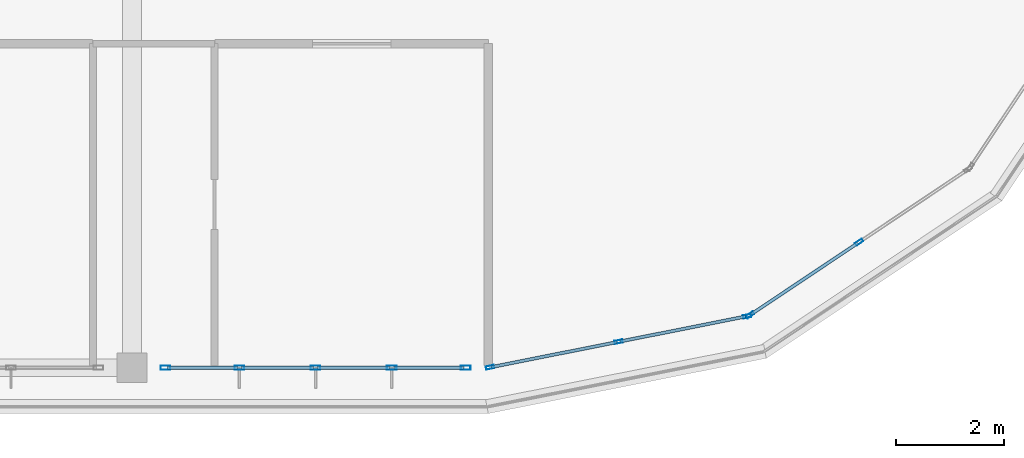
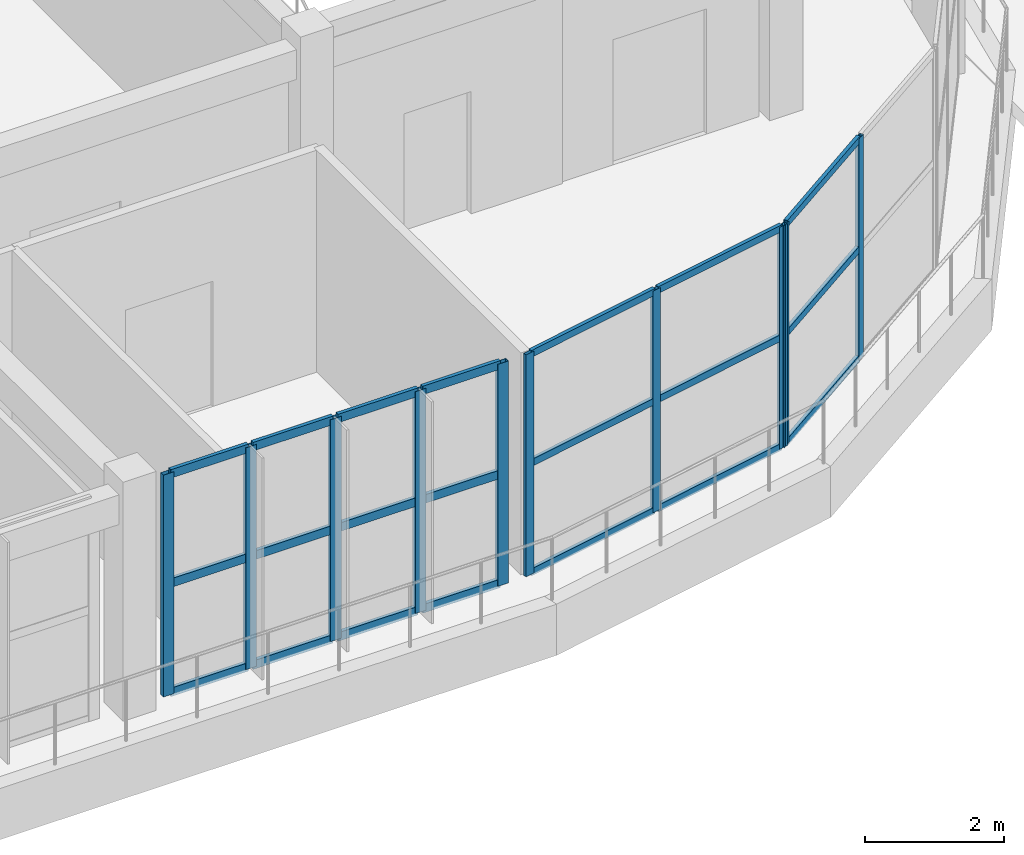
# One storey, part 14 of 33: 31 members, 3 elements without a shape of their own.
"""IFC4 building model written with IfcOpenShell, lengths in metres."""

from ifc_helpers import new_model, si_unit, direction, frame, origin, origin_2d, place, context, subcontext, project, spatial, hollow_rectangle, extrude, material, layer, layer_set, material_profile, profile_set, type_object, element, aggregate, save


model = new_model("IFC4")

# Units and contexts
model_context = context("Model", 3, precision=1e-05, world=origin(), true_north=direction((0.0, 1.0)))
body_context = subcontext(model_context, "Body", "Model", "MODEL_VIEW")
ifc_project = project(units=[si_unit("LENGTHUNIT", "METRE"), si_unit("AREAUNIT", "SQUARE_METRE"), si_unit("VOLUMEUNIT", "CUBIC_METRE"), si_unit("PLANEANGLEUNIT", "RADIAN"), si_unit("MASSUNIT", "GRAM", prefix="KILO")], contexts=[model_context])

# Site, building, storey
site_placement = place(None, origin())
site = spatial("IfcSite", under=ifc_project, at=site_placement, CompositionType="ELEMENT")
building_placement = place(site_placement, origin())
building = spatial("IfcBuilding", under=site, at=building_placement, Name="Zizhar Promenade General Hospital", CompositionType="ELEMENT")
storey_placement = place(building_placement, frame((0.0, 0.0, 39.0)))
storey = spatial("IfcBuildingStorey", under=building, at=storey_placement, Name="L09", CompositionType="ELEMENT", Elevation=39.0)

# Curtain wall, members
ifc_material_1 = material(Name="Anodised aluminium 6063-T6 and low-E glass", Category="aluminium")
ifc_layer_1 = layer(ifc_material_1, 0.159912109375)
ifc_layer_set_1 = layer_set([ifc_layer_1], Name="Anodised aluminium 6063-T6 and low-E glass")
curtain_wall_type_1 = type_object("IfcCurtainWallType", Name="CW-WARD-ARC", PredefinedType="NOTDEFINED", material=ifc_layer_set_1)
curtain_wall_1_placement = place(storey_placement, origin())
curtain_wall_1 = element("IfcCurtainWall", 1, at=curtain_wall_1_placement, inside=storey, type_object=curtain_wall_type_1, Name="Ward Semicircular End Glazing L09-01", PredefinedType="NOTDEFINED")
ifc_material_2 = material(Name="Anodised aluminium 6063-T6", Category="aluminium")
ifc_material_profile_1 = material_profile(ifc_material_2, hollow_rectangle(XDim=0.06005859375, YDim=0.14990234375, WallThickness=0.00390625, at=origin_2d()))
ifc_profile_set_1 = profile_set([ifc_material_profile_1], Name="Anodised aluminium 6063-T6")
member_type_1 = type_object("IfcMemberType", Name="CWM-ALU-150x60", PredefinedType="MULLION", material=ifc_profile_set_1)
member_1_placement = place(storey_placement, frame((97.1923828125, 0.953369140625, 0.0), z_axis=(0.0, 0.0, 1.0), x_axis=(0.195087259275, -0.980785889615, 0.0)))
member_1 = element("IfcMember", 2, at=member_1_placement, type_object=member_type_1, Name="CW-12 mullion 1", PredefinedType="MULLION", context=body_context, shape_type="SweptSolid", body=[
    extrude(hollow_rectangle(XDim=0.06005859375, YDim=0.14990234375, WallThickness=0.00390625, at=origin_2d()), origin(), (0.0, 0.0, 1.0), 3.89990234375),
])
member_2_placement = place(storey_placement, frame((94.810791015625, 0.4794921875, 0.0), z_axis=(0.0, 0.0, 1.0), x_axis=(0.195087259275, -0.980785889615, 0.0)))
member_2 = element("IfcMember", 3, at=member_2_placement, type_object=member_type_1, Name="CW-12 mullion 2", PredefinedType="MULLION", context=body_context, shape_type="SweptSolid", body=[
    extrude(hollow_rectangle(XDim=0.06005859375, YDim=0.14990234375, WallThickness=0.00390625, at=origin_2d()), origin(), (0.0, 0.0, 1.0), 3.89990234375),
])
member_3_placement = place(storey_placement, frame((92.429443359375, 0.005859375, 0.0), z_axis=(0.0, 0.0, 1.0), x_axis=(0.195087259275, -0.980785889615, 0.0)))
member_3 = element("IfcMember", 4, at=member_3_placement, type_object=member_type_1, Name="CW-12 mullion 3", PredefinedType="MULLION", context=body_context, shape_type="SweptSolid", body=[
    extrude(hollow_rectangle(XDim=0.06005859375, YDim=0.14990234375, WallThickness=0.00390625, at=origin_2d()), origin(), (0.0, 0.0, 1.0), 3.89990234375),
])

curtain_wall_2_placement = place(storey_placement, origin())
curtain_wall_2 = element("IfcCurtainWall", 5, at=curtain_wall_2_placement, inside=storey, type_object=curtain_wall_type_1, Name="Ward Semicircular End Glazing L09-02", PredefinedType="NOTDEFINED")
member_4_placement = place(storey_placement, frame((99.265625, 2.32470703125, 0.0), z_axis=(0.0, 0.0, 1.0), x_axis=(0.555582352095, -0.831461514468, 0.0)))
member_4 = element("IfcMember", 6, at=member_4_placement, type_object=member_type_1, Name="CW-12 mullion 2", PredefinedType="MULLION", context=body_context, shape_type="SweptSolid", body=[
    extrude(hollow_rectangle(XDim=0.06005859375, YDim=0.14990234375, WallThickness=0.00390625, at=origin_2d()), origin(), (0.0, 0.0, 1.0), 3.89990234375),
])
member_5_placement = place(storey_placement, frame((97.246826171875, 0.975830078125, 0.0), z_axis=(0.0, 0.0, 1.0), x_axis=(0.555582352095, -0.831461514468, 0.0)))
member_5 = element("IfcMember", 7, at=member_5_placement, type_object=member_type_1, Name="CW-12 mullion 3", PredefinedType="MULLION", context=body_context, shape_type="SweptSolid", body=[
    extrude(hollow_rectangle(XDim=0.06005859375, YDim=0.14990234375, WallThickness=0.00390625, at=origin_2d()), origin(), (0.0, 0.0, 1.0), 3.89990234375),
])

ifc_material_3 = material(Name="Anodised aluminium 6063-T6 and low-E glass", Category="aluminium")
ifc_layer_2 = layer(ifc_material_3, 0.159912109375)
ifc_layer_set_2 = layer_set([ifc_layer_2], Name="Anodised aluminium 6063-T6 and low-E glass")
curtain_wall_type_2 = type_object("IfcCurtainWallType", Name="CW-WARD-RIB", PredefinedType="NOTDEFINED", material=ifc_layer_set_2)
curtain_wall_3_placement = place(storey_placement, origin())
curtain_wall_3 = element("IfcCurtainWall", 8, at=curtain_wall_3_placement, inside=storey, type_object=curtain_wall_type_2, Name="Ward Ribbon Curtain Wall L09-17-0", PredefinedType="NOTDEFINED")
ifc_material_4 = material(Name="Anodised aluminium 6063-T6", Category="aluminium")
ifc_material_profile_2 = material_profile(ifc_material_4, hollow_rectangle(XDim=0.080078125, YDim=0.179931640625, WallThickness=0.0048828125, at=origin_2d()))
ifc_profile_set_2 = profile_set([ifc_material_profile_2], Name="Anodised aluminium 6063-T6")
member_type_2 = type_object("IfcMemberType", Name="CWM-ALU-180x80", PredefinedType="MULLION", material=ifc_profile_set_2)
member_6_placement = place(storey_placement, frame((91.97998046875, 0.0, 0.0), z_axis=(0.0, 0.0, 1.0), x_axis=(0.0, -1.0, 0.0)))
member_6 = element("IfcMember", 9, at=member_6_placement, type_object=member_type_2, Name="CW-13 mullion 1", PredefinedType="MULLION", context=body_context, shape_type="SweptSolid", body=[
    extrude(hollow_rectangle(XDim=0.080078125, YDim=0.179931640625, WallThickness=0.0048828125, at=origin_2d()), origin(), (0.0, 0.0, 1.0), 3.89990234375),
])
member_7_placement = place(storey_placement, frame((90.610107421875, 0.0, 0.0), z_axis=(0.0, 0.0, 1.0), x_axis=(0.0, -1.0, 0.0)))
member_7 = element("IfcMember", 10, at=member_7_placement, type_object=member_type_2, Name="CW-13 mullion 2", PredefinedType="MULLION", context=body_context, shape_type="SweptSolid", body=[
    extrude(hollow_rectangle(XDim=0.080078125, YDim=0.179931640625, WallThickness=0.0048828125, at=origin_2d()), origin(), (0.0, 0.0, 1.0), 3.89990234375),
])
member_8_placement = place(storey_placement, frame((89.199951171875, 0.0, 0.0), z_axis=(0.0, 0.0, 1.0), x_axis=(0.0, -1.0, 0.0)))
member_8 = element("IfcMember", 11, at=member_8_placement, type_object=member_type_2, Name="CW-13 mullion 3", PredefinedType="MULLION", context=body_context, shape_type="SweptSolid", body=[
    extrude(hollow_rectangle(XDim=0.080078125, YDim=0.179931640625, WallThickness=0.0048828125, at=origin_2d()), origin(), (0.0, 0.0, 1.0), 3.89990234375),
])
member_9_placement = place(storey_placement, frame((87.7900390625, 0.0, 0.0), z_axis=(0.0, 0.0, 1.0), x_axis=(0.0, -1.0, 0.0)))
member_9 = element("IfcMember", 12, at=member_9_placement, type_object=member_type_2, Name="CW-13 mullion 4", PredefinedType="MULLION", context=body_context, shape_type="SweptSolid", body=[
    extrude(hollow_rectangle(XDim=0.080078125, YDim=0.179931640625, WallThickness=0.0048828125, at=origin_2d()), origin(), (0.0, 0.0, 1.0), 3.89990234375),
])
member_10_placement = place(storey_placement, frame((86.419921875, 0.0, 0.0), z_axis=(0.0, 0.0, 1.0), x_axis=(0.0, -1.0, 0.0)))
member_10 = element("IfcMember", 13, at=member_10_placement, type_object=member_type_2, Name="CW-13 mullion 5", PredefinedType="MULLION", context=body_context, shape_type="SweptSolid", body=[
    extrude(hollow_rectangle(XDim=0.080078125, YDim=0.179931640625, WallThickness=0.0048828125, at=origin_2d()), origin(), (0.0, 0.0, 1.0), 3.89990234375),
])

# Member
ifc_material_5 = material(Name="Anodised aluminium 6063-T6", Category="aluminium")
ifc_material_profile_3 = material_profile(ifc_material_5, hollow_rectangle(XDim=0.06005859375, YDim=0.1201171875, WallThickness=0.00390625, at=origin_2d()))
ifc_profile_set_3 = profile_set([ifc_material_profile_3], Name="Anodised aluminium 6063-T6")
member_type_3 = type_object("IfcMemberType", Name="CWT-ALU-120x60", PredefinedType="USERDEFINED", material=ifc_profile_set_3)
member_11_placement = place(storey_placement, frame((97.162841796875, 0.947509765625, 0.030029296875), z_axis=(-0.98077054851, -0.195164369634, 0.0), x_axis=(0.195164369634, -0.98077054851, 0.0)))
member_11 = element("IfcMember", 14, at=member_11_placement, type_object=member_type_3, Name="CW-12 transom 1.1", ObjectType="TRANSOM", PredefinedType="USERDEFINED", context=body_context, shape_type="SweptSolid", body=[
    extrude(hollow_rectangle(XDim=0.06005859375, YDim=0.1201171875, WallThickness=0.00390625, at=origin_2d()), origin(), (0.0, 0.0, 1.0), 2.3681640625),
])

member_12_placement = place(storey_placement, frame((97.162841796875, 0.947509765625, 1.949951171875), z_axis=(-0.98077054851, -0.195164369634, 0.0), x_axis=(0.195164369634, -0.98077054851, 0.0)))
member_12 = element("IfcMember", 15, at=member_12_placement, type_object=member_type_3, Name="CW-12 transom 1.2", ObjectType="TRANSOM", PredefinedType="USERDEFINED", context=body_context, shape_type="SweptSolid", body=[
    extrude(hollow_rectangle(XDim=0.06005859375, YDim=0.1201171875, WallThickness=0.00390625, at=origin_2d()), origin(), (0.0, 0.0, 1.0), 2.3681640625),
])

member_13_placement = place(storey_placement, frame((97.162841796875, 0.947509765625, 3.8701171875), z_axis=(-0.98077054851, -0.195164369634, 0.0), x_axis=(0.195164369634, -0.98077054851, 0.0)))
member_13 = element("IfcMember", 16, at=member_13_placement, type_object=member_type_3, Name="CW-12 transom 1.3", ObjectType="TRANSOM", PredefinedType="USERDEFINED", context=body_context, shape_type="SweptSolid", body=[
    extrude(hollow_rectangle(XDim=0.06005859375, YDim=0.1201171875, WallThickness=0.00390625, at=origin_2d()), origin(), (0.0, 0.0, 1.0), 2.3681640625),
])

member_14_placement = place(storey_placement, frame((94.781494140625, 0.4736328125, 0.030029296875), z_axis=(-0.980794200422, -0.195045472693, 0.0), x_axis=(0.195045472693, -0.980794200422, 0.0)))
member_14 = element("IfcMember", 17, at=member_14_placement, type_object=member_type_3, Name="CW-12 transom 2.1", ObjectType="TRANSOM", PredefinedType="USERDEFINED", context=body_context, shape_type="SweptSolid", body=[
    extrude(hollow_rectangle(XDim=0.06005859375, YDim=0.1201171875, WallThickness=0.00390625, at=origin_2d()), origin(), (0.0, 0.0, 1.0), 2.3681640625),
])

member_15_placement = place(storey_placement, frame((94.781494140625, 0.4736328125, 1.949951171875), z_axis=(-0.980794200422, -0.195045472693, 0.0), x_axis=(0.195045472693, -0.980794200422, 0.0)))
member_15 = element("IfcMember", 18, at=member_15_placement, type_object=member_type_3, Name="CW-12 transom 2.2", ObjectType="TRANSOM", PredefinedType="USERDEFINED", context=body_context, shape_type="SweptSolid", body=[
    extrude(hollow_rectangle(XDim=0.06005859375, YDim=0.1201171875, WallThickness=0.00390625, at=origin_2d()), origin(), (0.0, 0.0, 1.0), 2.3681640625),
])

member_16_placement = place(storey_placement, frame((94.781494140625, 0.4736328125, 3.8701171875), z_axis=(-0.980794200422, -0.195045472693, 0.0), x_axis=(0.195045472693, -0.980794200422, 0.0)))
member_16 = element("IfcMember", 19, at=member_16_placement, type_object=member_type_3, Name="CW-12 transom 2.3", ObjectType="TRANSOM", PredefinedType="USERDEFINED", context=body_context, shape_type="SweptSolid", body=[
    extrude(hollow_rectangle(XDim=0.06005859375, YDim=0.1201171875, WallThickness=0.00390625, at=origin_2d()), origin(), (0.0, 0.0, 1.0), 2.3681640625),
])

aggregate(curtain_wall_1, [member_1, member_2, member_3, member_11, member_12, member_13, member_14, member_15, member_16])

member_17_placement = place(storey_placement, frame((99.24072265625, 2.30810546875, 0.030029296875), z_axis=(-0.831462978956, -0.555580160396, 0.0), x_axis=(0.555580160396, -0.831462978956, 0.0)))
member_17 = element("IfcMember", 20, at=member_17_placement, type_object=member_type_3, Name="CW-12 transom 2.1", ObjectType="TRANSOM", PredefinedType="USERDEFINED", context=body_context, shape_type="SweptSolid", body=[
    extrude(hollow_rectangle(XDim=0.06005859375, YDim=0.1201171875, WallThickness=0.00390625, at=origin_2d()), origin(), (0.0, 0.0, 1.0), 2.3681640625),
])

member_18_placement = place(storey_placement, frame((99.24072265625, 2.30810546875, 1.949951171875), z_axis=(-0.831462978956, -0.555580160396, 0.0), x_axis=(0.555580160396, -0.831462978956, 0.0)))
member_18 = element("IfcMember", 21, at=member_18_placement, type_object=member_type_3, Name="CW-12 transom 2.2", ObjectType="TRANSOM", PredefinedType="USERDEFINED", context=body_context, shape_type="SweptSolid", body=[
    extrude(hollow_rectangle(XDim=0.06005859375, YDim=0.1201171875, WallThickness=0.00390625, at=origin_2d()), origin(), (0.0, 0.0, 1.0), 2.3681640625),
])

member_19_placement = place(storey_placement, frame((99.24072265625, 2.30810546875, 3.8701171875), z_axis=(-0.831462978956, -0.555580160396, 0.0), x_axis=(0.555580160396, -0.831462978956, 0.0)))
member_19 = element("IfcMember", 22, at=member_19_placement, type_object=member_type_3, Name="CW-12 transom 2.3", ObjectType="TRANSOM", PredefinedType="USERDEFINED", context=body_context, shape_type="SweptSolid", body=[
    extrude(hollow_rectangle(XDim=0.06005859375, YDim=0.1201171875, WallThickness=0.00390625, at=origin_2d()), origin(), (0.0, 0.0, 1.0), 2.3681640625),
])

aggregate(curtain_wall_2, [member_4, member_5, member_17, member_18, member_19])

ifc_material_6 = material(Name="Anodised aluminium 6063-T6", Category="aluminium")
ifc_material_profile_4 = material_profile(ifc_material_6, hollow_rectangle(XDim=0.06005859375, YDim=0.14990234375, WallThickness=0.00390625, at=origin_2d()))
ifc_profile_set_4 = profile_set([ifc_material_profile_4], Name="Anodised aluminium 6063-T6")
member_type_4 = type_object("IfcMemberType", Name="CWT-ALU-150x60", PredefinedType="USERDEFINED", material=ifc_profile_set_4)
member_20_placement = place(storey_placement, frame((91.93994140625, 0.0, 0.030029296875), z_axis=(-1.0, 0.0, 0.0), x_axis=(0.0, -1.0, 0.0)))
member_20 = element("IfcMember", 23, at=member_20_placement, type_object=member_type_4, Name="CW-13 transom 1.1", ObjectType="TRANSOM", PredefinedType="USERDEFINED", context=body_context, shape_type="SweptSolid", body=[
    extrude(hollow_rectangle(XDim=0.06005859375, YDim=0.14990234375, WallThickness=0.00390625, at=origin_2d()), origin(), (0.0, 0.0, 1.0), 1.2900390625),
])

member_21_placement = place(storey_placement, frame((91.93994140625, 0.0, 1.949951171875), z_axis=(-1.0, 0.0, 0.0), x_axis=(0.0, -1.0, 0.0)))
member_21 = element("IfcMember", 24, at=member_21_placement, type_object=member_type_4, Name="CW-13 transom 1.2", ObjectType="TRANSOM", PredefinedType="USERDEFINED", context=body_context, shape_type="SweptSolid", body=[
    extrude(hollow_rectangle(XDim=0.06005859375, YDim=0.14990234375, WallThickness=0.00390625, at=origin_2d()), origin(), (0.0, 0.0, 1.0), 1.2900390625),
])

member_22_placement = place(storey_placement, frame((91.93994140625, 0.0, 3.8701171875), z_axis=(-1.0, 0.0, 0.0), x_axis=(0.0, -1.0, 0.0)))
member_22 = element("IfcMember", 25, at=member_22_placement, type_object=member_type_4, Name="CW-13 transom 1.3", ObjectType="TRANSOM", PredefinedType="USERDEFINED", context=body_context, shape_type="SweptSolid", body=[
    extrude(hollow_rectangle(XDim=0.06005859375, YDim=0.14990234375, WallThickness=0.00390625, at=origin_2d()), origin(), (0.0, 0.0, 1.0), 1.2900390625),
])

member_23_placement = place(storey_placement, frame((90.570068359375, 0.0, 0.030029296875), z_axis=(-1.0, 0.0, 0.0), x_axis=(0.0, -1.0, 0.0)))
member_23 = element("IfcMember", 26, at=member_23_placement, type_object=member_type_4, Name="CW-13 transom 2.1", ObjectType="TRANSOM", PredefinedType="USERDEFINED", context=body_context, shape_type="SweptSolid", body=[
    extrude(hollow_rectangle(XDim=0.06005859375, YDim=0.14990234375, WallThickness=0.00390625, at=origin_2d()), origin(), (0.0, 0.0, 1.0), 1.330078125),
])

member_24_placement = place(storey_placement, frame((90.570068359375, 0.0, 1.949951171875), z_axis=(-1.0, 0.0, 0.0), x_axis=(0.0, -1.0, 0.0)))
member_24 = element("IfcMember", 27, at=member_24_placement, type_object=member_type_4, Name="CW-13 transom 2.2", ObjectType="TRANSOM", PredefinedType="USERDEFINED", context=body_context, shape_type="SweptSolid", body=[
    extrude(hollow_rectangle(XDim=0.06005859375, YDim=0.14990234375, WallThickness=0.00390625, at=origin_2d()), origin(), (0.0, 0.0, 1.0), 1.330078125),
])

member_25_placement = place(storey_placement, frame((90.570068359375, 0.0, 3.8701171875), z_axis=(-1.0, 0.0, 0.0), x_axis=(0.0, -1.0, 0.0)))
member_25 = element("IfcMember", 28, at=member_25_placement, type_object=member_type_4, Name="CW-13 transom 2.3", ObjectType="TRANSOM", PredefinedType="USERDEFINED", context=body_context, shape_type="SweptSolid", body=[
    extrude(hollow_rectangle(XDim=0.06005859375, YDim=0.14990234375, WallThickness=0.00390625, at=origin_2d()), origin(), (0.0, 0.0, 1.0), 1.330078125),
])

member_26_placement = place(storey_placement, frame((89.159912109375, 0.0, 0.030029296875), z_axis=(-1.0, 0.0, 0.0), x_axis=(0.0, -1.0, 0.0)))
member_26 = element("IfcMember", 29, at=member_26_placement, type_object=member_type_4, Name="CW-13 transom 3.1", ObjectType="TRANSOM", PredefinedType="USERDEFINED", context=body_context, shape_type="SweptSolid", body=[
    extrude(hollow_rectangle(XDim=0.06005859375, YDim=0.14990234375, WallThickness=0.00390625, at=origin_2d()), origin(), (0.0, 0.0, 1.0), 1.329833984375),
])

member_27_placement = place(storey_placement, frame((89.159912109375, 0.0, 1.949951171875), z_axis=(-1.0, 0.0, 0.0), x_axis=(0.0, -1.0, 0.0)))
member_27 = element("IfcMember", 30, at=member_27_placement, type_object=member_type_4, Name="CW-13 transom 3.2", ObjectType="TRANSOM", PredefinedType="USERDEFINED", context=body_context, shape_type="SweptSolid", body=[
    extrude(hollow_rectangle(XDim=0.06005859375, YDim=0.14990234375, WallThickness=0.00390625, at=origin_2d()), origin(), (0.0, 0.0, 1.0), 1.329833984375),
])

member_28_placement = place(storey_placement, frame((89.159912109375, 0.0, 3.8701171875), z_axis=(-1.0, 0.0, 0.0), x_axis=(0.0, -1.0, 0.0)))
member_28 = element("IfcMember", 31, at=member_28_placement, type_object=member_type_4, Name="CW-13 transom 3.3", ObjectType="TRANSOM", PredefinedType="USERDEFINED", context=body_context, shape_type="SweptSolid", body=[
    extrude(hollow_rectangle(XDim=0.06005859375, YDim=0.14990234375, WallThickness=0.00390625, at=origin_2d()), origin(), (0.0, 0.0, 1.0), 1.329833984375),
])

member_29_placement = place(storey_placement, frame((87.75, 0.0, 0.030029296875), z_axis=(-1.0, 0.0, 0.0), x_axis=(0.0, -1.0, 0.0)))
member_29 = element("IfcMember", 32, at=member_29_placement, type_object=member_type_4, Name="CW-13 transom 4.1", ObjectType="TRANSOM", PredefinedType="USERDEFINED", context=body_context, shape_type="SweptSolid", body=[
    extrude(hollow_rectangle(XDim=0.06005859375, YDim=0.14990234375, WallThickness=0.00390625, at=origin_2d()), origin(), (0.0, 0.0, 1.0), 1.2900390625),
])

member_30_placement = place(storey_placement, frame((87.75, 0.0, 1.949951171875), z_axis=(-1.0, 0.0, 0.0), x_axis=(0.0, -1.0, 0.0)))
member_30 = element("IfcMember", 33, at=member_30_placement, type_object=member_type_4, Name="CW-13 transom 4.2", ObjectType="TRANSOM", PredefinedType="USERDEFINED", context=body_context, shape_type="SweptSolid", body=[
    extrude(hollow_rectangle(XDim=0.06005859375, YDim=0.14990234375, WallThickness=0.00390625, at=origin_2d()), origin(), (0.0, 0.0, 1.0), 1.2900390625),
])

member_31_placement = place(storey_placement, frame((87.75, 0.0, 3.8701171875), z_axis=(-1.0, 0.0, 0.0), x_axis=(0.0, -1.0, 0.0)))
member_31 = element("IfcMember", 34, at=member_31_placement, type_object=member_type_4, Name="CW-13 transom 4.3", ObjectType="TRANSOM", PredefinedType="USERDEFINED", context=body_context, shape_type="SweptSolid", body=[
    extrude(hollow_rectangle(XDim=0.06005859375, YDim=0.14990234375, WallThickness=0.00390625, at=origin_2d()), origin(), (0.0, 0.0, 1.0), 1.2900390625),
])

aggregate(curtain_wall_3, [member_6, member_7, member_8, member_9, member_10, member_20, member_21, member_22, member_23, member_24, member_25, member_26, member_27, member_28, member_29, member_30, member_31])

save(model, "model.ifc")
